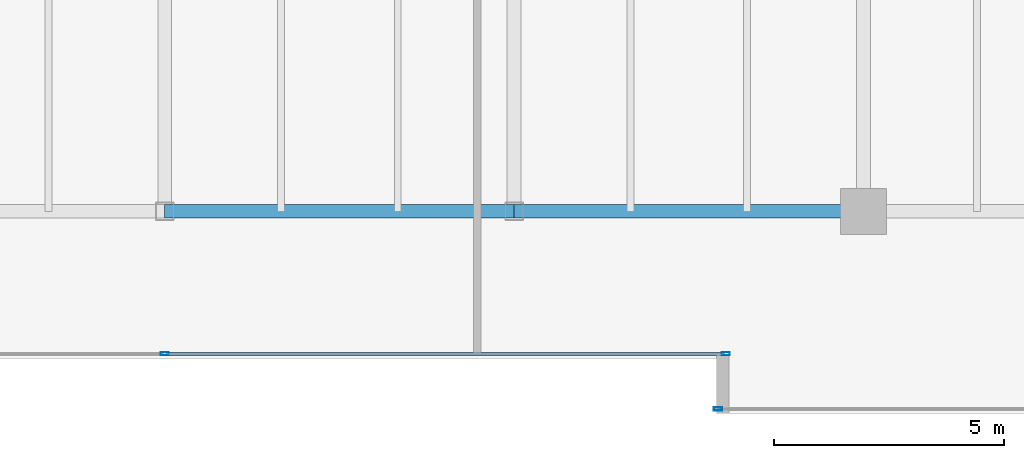
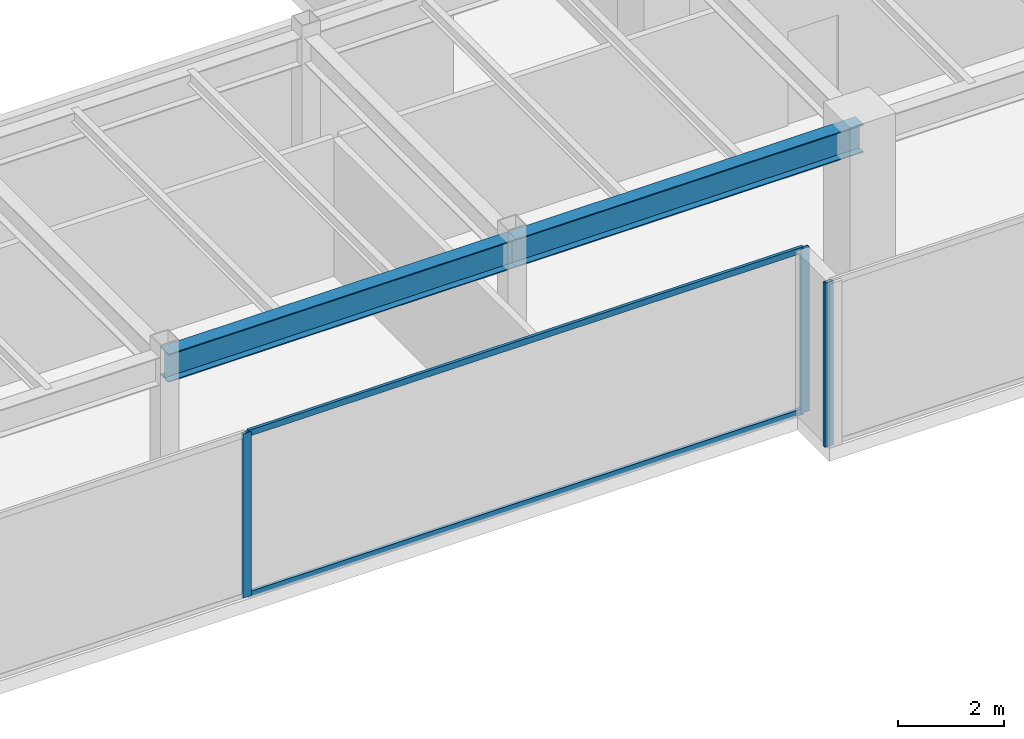
# One storey, part 11 of 33: 5 members, 2 beams, 2 elements without a shape of their own.
"""IFC4 building model written with IfcOpenShell, lengths in metres."""

import ifcopenshell
import ifcopenshell.guid

model = None  # the IFC model being written
_history = None  # IfcOwnerHistory: only IFC2X3 demands one
_inside = {}  # id of a spatial element -> (the spatial element, [elements in it])
_under = {}  # id of a project, library or spatial element -> (it, [spatial elements below it])
_declared = {}  # id of a project -> (the project, [libraries it declares])
_typed = {}  # id of a type object -> (the type object, [elements of that type])
_made_of = {}  # id of a material, layer set ... -> (it, [elements and type objects made of it])


def new_model(schema):
    """Start an empty IFC model of exactly this schema.

    Asked for "IFC4X3", IfcOpenShell would pick the latest addendum, in which some entities
    have other attributes; the version numbers below select the first issue.
    IFC2X3 requires an IfcOwnerHistory on every rooted entity: one is made here for all.
    """
    global model, _history
    if schema == "IFC4X3":
        model = ifcopenshell.file(schema_version=(4, 3, 0, 0))
    else:
        model = ifcopenshell.file(schema=schema)
    _inside.clear()
    _under.clear()
    _declared.clear()
    _typed.clear()
    _made_of.clear()
    _history = None
    if model.schema == "IFC2X3":
        org = make("IfcOrganization", Name="unknown")
        user = make(
            "IfcPersonAndOrganization",
            ThePerson=make("IfcPerson", FamilyName="unknown"),
            TheOrganization=org,
        )
        app = make(
            "IfcApplication",
            ApplicationDeveloper=org,
            Version="unknown",
            ApplicationFullName="unknown",
            ApplicationIdentifier="unknown",
        )
        _history = make(
            "IfcOwnerHistory",
            OwningUser=user,
            OwningApplication=app,
            ChangeAction="ADDED",
            CreationDate=0,
        )
    return model


def make(cls, **values):
    """One entity of the class cls with the attributes given. An attribute that is None is left unset."""
    return model.create_entity(
        cls, **{name: value for name, value in values.items() if value is not None}
    )


def rooted(cls, **values):
    """An entity with a GlobalId (a new one), such as an element, a storey or a relation."""
    return make(cls, GlobalId=ifcopenshell.guid.new(), OwnerHistory=_history, **values)


def si_unit(unit_type, name, prefix=None):
    """IfcSIUnit, for example si_unit("LENGTHUNIT", "METRE", prefix="MILLI")."""
    return make("IfcSIUnit", UnitType=unit_type, Prefix=prefix, Name=name)


def assignment(units):
    """IfcUnitAssignment: the units of a project."""
    return None if units is None else make("IfcUnitAssignment", Units=units)


def point(xyz):
    """IfcCartesianPoint."""
    return None if xyz is None else make("IfcCartesianPoint", Coordinates=xyz)


def direction(xyz):
    """IfcDirection."""
    return None if xyz is None else make("IfcDirection", DirectionRatios=xyz)


def frame(location, z_axis=None, x_axis=None):
    """IfcAxis2Placement3D, a coordinate frame: its origin and axes. An axis left out is left unset."""
    return make(
        "IfcAxis2Placement3D",
        Location=point(location),
        Axis=direction(z_axis),
        RefDirection=direction(x_axis),
    )


def frame_2d(location, x_axis=None):
    """IfcAxis2Placement2D, a coordinate frame in the plane: its origin and x axis."""
    return make(
        "IfcAxis2Placement2D", Location=point(location), RefDirection=direction(x_axis)
    )


def origin():
    """The frame at (0, 0, 0) with its axes left unset."""
    return frame((0.0, 0.0, 0.0))


def origin_2d():
    """The frame at (0, 0) in the plane with its x axis left unset."""
    return frame_2d((0.0, 0.0))


def place(relative_to, where):
    """IfcLocalPlacement: puts the frame where relative to a parent placement (None: the world)."""
    return make(
        "IfcLocalPlacement", PlacementRelTo=relative_to, RelativePlacement=where
    )


def context(
    kind, dimensions, precision=None, world=None, true_north=None, identifier=None
):
    """IfcGeometricRepresentationContext, for example the 3D "Model" context."""
    return make(
        "IfcGeometricRepresentationContext",
        ContextIdentifier=identifier,
        ContextType=kind,
        CoordinateSpaceDimension=dimensions,
        Precision=precision,
        WorldCoordinateSystem=world,
        TrueNorth=true_north,
    )


def subcontext(parent, identifier, kind, view, scale=None):
    """IfcGeometricRepresentationSubContext, for example "Body" below "Model"."""
    return make(
        "IfcGeometricRepresentationSubContext",
        ContextIdentifier=identifier,
        ContextType=kind,
        ParentContext=parent,
        TargetScale=scale,
        TargetView=view,
    )


def project(units=None, contexts=None):
    """IfcProject with its units and contexts."""
    return rooted(
        "IfcProject",
        Name="project",
        RepresentationContexts=contexts,
        UnitsInContext=assignment(units),
    )


def spatial(cls, under=None, at=None, **own):
    """A site, building, storey or space (cls), placed at a placement, below another one or the project."""
    s = rooted(cls, ObjectPlacement=at, **own)
    if under is not None:
        _under.setdefault(under.id(), (under, []))[1].append(s)
    return s


def profile(cls, at=None, kind="AREA", **sizes):
    """A parametric profile (cls). Its sizes go by their IFC names, for example OverallWidth=200.0."""
    return make(cls, ProfileType=kind, Position=at, **sizes)


def hollow_rectangle(**sizes):
    """IfcRectangleHollowProfileDef."""
    return profile("IfcRectangleHollowProfileDef", **sizes)


def i_section(**sizes):
    """IfcIShapeProfileDef."""
    return profile("IfcIShapeProfileDef", **sizes)


def extrude(swept, where, along, depth):
    """IfcExtrudedAreaSolid: the profile swept, set in the frame where, extruded along a direction by depth."""
    return make(
        "IfcExtrudedAreaSolid",
        SweptArea=swept,
        Position=where,
        ExtrudedDirection=direction(along),
        Depth=depth,
    )


def shape(context_of_items, identifier, shape_type, items):
    """IfcShapeRepresentation: the items that make up one representation, for example the "Body"."""
    return make(
        "IfcShapeRepresentation",
        ContextOfItems=context_of_items,
        RepresentationIdentifier=identifier,
        RepresentationType=shape_type,
        Items=items,
    )


def source(mapping_origin, context_of_items, identifier, shape_type, items):
    """IfcRepresentationMap: a shape defined once, which mapped items show again and again."""
    return make(
        "IfcRepresentationMap",
        MappingOrigin=mapping_origin,
        MappedRepresentation=shape(context_of_items, identifier, shape_type, items),
    )


def transform(
    local_origin,
    x_axis=None,
    y_axis=None,
    z_axis=None,
    scale=None,
    scale2=None,
    scale3=None,
    uniform=True,
):
    """IfcCartesianTransformationOperator3D, or its non-uniform kind. x_axis, y_axis, z_axis: its Axis1, 2, 3."""
    if uniform:
        return make(
            "IfcCartesianTransformationOperator3D",
            Axis1=direction(x_axis),
            Axis2=direction(y_axis),
            LocalOrigin=point(local_origin),
            Scale=scale,
            Axis3=direction(z_axis),
        )
    return make(
        "IfcCartesianTransformationOperator3DnonUniform",
        Axis1=direction(x_axis),
        Axis2=direction(y_axis),
        LocalOrigin=point(local_origin),
        Scale=scale,
        Axis3=direction(z_axis),
        Scale2=scale2,
        Scale3=scale3,
    )


def mapped(mapping_source, mapping_target):
    """IfcMappedItem: shows the shape of a source again, moved by a transform."""
    return make(
        "IfcMappedItem", MappingSource=mapping_source, MappingTarget=mapping_target
    )


def material(Name=None, Category=None):
    """IfcMaterial."""
    return make("IfcMaterial", Name=Name, Category=Category)


def layer(
    of_material, thickness, ventilated=None, Name=None, Category=None, Priority=None
):
    """IfcMaterialLayer: one layer of a wall or slab, of a material (None: an air gap)."""
    return make(
        "IfcMaterialLayer",
        Material=of_material,
        LayerThickness=thickness,
        IsVentilated=ventilated,
        Name=Name,
        Category=Category,
        Priority=Priority,
    )


def layer_set(layers, Name=None):
    """IfcMaterialLayerSet."""
    return make("IfcMaterialLayerSet", MaterialLayers=layers, LayerSetName=Name)


def material_profile(
    of_material, cross_section, Name=None, Category=None, Priority=None
):
    """IfcMaterialProfile: a cross section and its material."""
    return make(
        "IfcMaterialProfile",
        Name=Name,
        Material=of_material,
        Profile=cross_section,
        Priority=Priority,
        Category=Category,
    )


def profile_set(profiles, Name=None, composite=None):
    """IfcMaterialProfileSet."""
    return make(
        "IfcMaterialProfileSet",
        Name=Name,
        MaterialProfiles=profiles,
        CompositeProfile=composite,
    )


def made_of(thing, what):
    """Note that an element or type object is made of a material, layer set ...; save() writes the relation."""
    if what is not None:
        _made_of.setdefault(what.id(), (what, []))[1].append(thing)
    return thing


def type_object(cls, material=None, **own):
    """A type object (cls), such as IfcWallType, which elements share."""
    return made_of(rooted(cls, **own), material)


def type_shapes(of_type, sources):
    """Give a type object the sources (RepresentationMaps) that its elements show as mapped items."""
    of_type.RepresentationMaps = sources


def element(
    cls,
    number,
    at=None,
    inside=None,
    cuts=None,
    type_object=None,
    material=None,
    context=None,
    identifier="Body",
    shape_type=None,
    held_by="IfcProductDefinitionShape",
    body=None,
    shapes=None,
    **own,
):
    """One element of the class cls, such as IfcWall. Its Tag is "e" and its number.

    at: its placement. inside: the storey or other place that contains it. cuts: it is an
    opening in that element (IfcRelVoidsElement). A single representation is given by context,
    identifier, shape_type and body (its items); several are given by shapes. held_by: the class
    of the entity that holds the representations. save() writes the other relations.
    """
    e = rooted(cls, Tag="e%d" % number, ObjectPlacement=at, **own)
    if body is not None:
        shapes = [shape(context, identifier, shape_type, body)]
    if shapes is not None:
        e.Representation = make(held_by, Representations=shapes)
    if inside is not None:
        _inside.setdefault(inside.id(), (inside, []))[1].append(e)
    if cuts is not None:
        rooted(
            "IfcRelVoidsElement", RelatingBuildingElement=cuts, RelatedOpeningElement=e
        )
    if type_object is not None:
        _typed.setdefault(type_object.id(), (type_object, []))[1].append(e)
    return made_of(e, material)


def aggregate(whole, parts):
    """IfcRelAggregates: a whole, such as a stair, and the parts it consists of."""
    return rooted("IfcRelAggregates", RelatingObject=whole, RelatedObjects=parts)


def save(model, path):
    """Write the relations noted so far, then the file.

    IfcRelAggregates (storeys below a building ...), IfcRelContainedInSpatialStructure (elements
    in a storey), IfcRelDefinesByType, IfcRelAssociatesMaterial and IfcRelDeclares: one each for
    every whole, place, type object, material and project.
    """
    for whole, parts in _under.values():
        aggregate(whole, parts)
    for where, things in _inside.values():
        rooted(
            "IfcRelContainedInSpatialStructure",
            RelatedElements=things,
            RelatingStructure=where,
        )
    for kind, things in _typed.values():
        rooted("IfcRelDefinesByType", RelatedObjects=things, RelatingType=kind)
    for what, things in _made_of.values():
        rooted("IfcRelAssociatesMaterial", RelatedObjects=things, RelatingMaterial=what)
    for by, libraries in _declared.values():
        rooted("IfcRelDeclares", RelatingContext=by, RelatedDefinitions=libraries)
    model.write(path)


model = new_model("IFC4")

# Units and contexts
model_context = context("Model", 3, precision=1e-05, world=origin(), true_north=direction((0.0, 1.0)))
body_context = subcontext(model_context, "Body", "Model", "MODEL_VIEW")
ifc_project = project(units=[si_unit("LENGTHUNIT", "METRE"), si_unit("AREAUNIT", "SQUARE_METRE"), si_unit("VOLUMEUNIT", "CUBIC_METRE"), si_unit("PLANEANGLEUNIT", "RADIAN"), si_unit("MASSUNIT", "GRAM", prefix="KILO")], contexts=[model_context])

# Site, building, storey
site_placement = place(None, origin())
site = spatial("IfcSite", under=ifc_project, at=site_placement, CompositionType="ELEMENT")
building_placement = place(site_placement, origin())
building = spatial("IfcBuilding", under=site, at=building_placement, Name="Haelvirn Gate Laboratories", CompositionType="ELEMENT")
storey_placement = place(building_placement, frame((0.0, 0.0, 230.10009765625)))
storey = spatial("IfcBuildingStorey", under=building, at=storey_placement, Name="L55", CompositionType="ELEMENT", Elevation=230.10009765625)

# Beams
ifc_material_1 = material(Name="Steel SM355", Category="steel")
ifc_material_profile_1 = material_profile(ifc_material_1, i_section(OverallWidth=0.300048828125, OverallDepth=0.64990234375, WebThickness=0.012939453125, FlangeThickness=0.02197265625, at=origin_2d()), Name="H-650x300x13x22")
ifc_profile_set_1 = profile_set([ifc_material_profile_1], Name="Steel SM355")
beam_type = type_object("IfcBeamType", Name="BM-G-650", PredefinedType="BEAM", material=ifc_profile_set_1)
shared_shape_1 = source(origin(), body_context, "Body", "SweptSolid", [
    extrude(i_section(OverallWidth=0.300048828125, OverallDepth=0.64990234375, WebThickness=0.012939453125, FlangeThickness=0.02197265625, at=origin_2d()), origin(), (0.0, 0.0, 1.0), 7.60009765625),
])
type_shapes(beam_type, [shared_shape_1])
for number, where, z_axis, x_axis, name in (
    (1, (37.39990234375, 7.0, 3.474853515625), (1.0, 0.0, 0.0), (0.0, 1.0, 0.0), "L55 Primary Girder Y7.0 (37.4-45.0)"),
    (2, (45.0, 7.0, 3.474853515625), (1.0, 0.0, 0.0), (0.0, 1.0, 0.0), "L55 Primary Girder Y7.0 (45.0-52.6)"),
):
    element("IfcBeam", number, at=place(storey_placement, frame(where, z_axis=z_axis, x_axis=x_axis)), inside=storey, type_object=beam_type, Name=name, PredefinedType="BEAM", context=body_context, shape_type="MappedRepresentation", body=[
        mapped(shared_shape_1, transform((0.0, 0.0, 0.0), scale=1.0)),
    ])

# Curtain wall, members
ifc_material_2 = material(Name="Anodised bronze unitised aluminium & triple low-E glass", Category="aluminium")
ifc_layer = layer(ifc_material_2, 0.176025390625, Name="CW-SYS-4")
ifc_layer_set = layer_set([ifc_layer], Name="Anodised bronze unitised aluminium & triple low-E glass")
curtain_wall_type = type_object("IfcCurtainWallType", Name="CW-SYS-4", PredefinedType="NOTDEFINED", material=ifc_layer_set)
curtain_wall_1_placement = place(storey_placement, origin())
curtain_wall_1 = element("IfcCurtainWall", 3, at=curtain_wall_1_placement, inside=storey, type_object=curtain_wall_type, Name="L55 Unitised Curtain Wall CW-L55-P0-E02-1", PredefinedType="NOTDEFINED")
ifc_material_3 = material(Name="Extruded aluminium 6063-T6 (anodised bronze)", Category="aluminium")
ifc_material_profile_2 = material_profile(ifc_material_3, hollow_rectangle(XDim=0.06494140625, YDim=0.139892578125, WallThickness=0.00390625, at=origin_2d()), Name="CWT-140x65x4")
ifc_profile_set_2 = profile_set([ifc_material_profile_2], Name="Extruded aluminium 6063-T6 (anodised bronze)")
member_type_1 = type_object("IfcMemberType", Name="CWT-T140", PredefinedType="USERDEFINED", material=ifc_profile_set_2)
shared_shape_2 = source(origin(), body_context, "Body", "SweptSolid", [
    extrude(hollow_rectangle(XDim=0.06494140625, YDim=0.139892578125, WallThickness=0.00390625, at=origin_2d()), origin(), (0.0, 0.0, 1.0), 12.135009765625),
])
type_shapes(member_type_1, [shared_shape_2])
member_1_placement = place(storey_placement, frame((37.43505859375, 3.89990234375, 0.032470703125), z_axis=(1.0, 0.0, 0.0), x_axis=(0.0, 1.0, 0.0)))
member_1 = element("IfcMember", 4, at=member_1_placement, type_object=member_type_1, Name="CW4 transom 2.1", ObjectType="TRANSOM", PredefinedType="USERDEFINED", context=body_context, shape_type="MappedRepresentation", body=[
    mapped(shared_shape_2, transform((0.0, 0.0, 0.0), scale=1.0)),
])
member_2_placement = place(storey_placement, frame((37.43505859375, 3.89990234375, 3.767333984375), z_axis=(1.0, 0.0, 0.0), x_axis=(0.0, 1.0, 0.0)))
member_2 = element("IfcMember", 5, at=member_2_placement, type_object=member_type_1, Name="CW4 transom 2.2", ObjectType="TRANSOM", PredefinedType="USERDEFINED", context=body_context, shape_type="MappedRepresentation", body=[
    mapped(shared_shape_2, transform((0.0, 0.0, 0.0), scale=1.0)),
])
ifc_material_profile_3 = material_profile(ifc_material_3, hollow_rectangle(XDim=0.070068359375, YDim=0.179931640625, WallThickness=0.0048828125, at=origin_2d()), Name="CWM-180x70x5")
ifc_profile_set_3 = profile_set([ifc_material_profile_3], Name="Extruded aluminium 6063-T6 (anodised bronze)")
member_type_2 = type_object("IfcMemberType", Name="CWM-T180", PredefinedType="MULLION", material=ifc_profile_set_3)
shared_shape_3 = source(origin(), body_context, "Body", "SweptSolid", [
    extrude(hollow_rectangle(XDim=0.070068359375, YDim=0.179931640625, WallThickness=0.0048828125, at=origin_2d()), origin(), (0.0, 0.0, 1.0), 3.7998046875),
])
type_shapes(member_type_2, [shared_shape_3])
member_3_placement = place(storey_placement, frame((37.39990234375, 3.89990234375, 0.0), z_axis=(0.0, 0.0, 1.0), x_axis=(0.0, 1.0, 0.0)))
member_3 = element("IfcMember", 6, at=member_3_placement, type_object=member_type_2, Name="CW4 mullion 2", PredefinedType="MULLION", context=body_context, shape_type="MappedRepresentation", body=[
    mapped(shared_shape_3, transform((0.0, 0.0, 0.0), scale=1.0)),
])
member_4_placement = place(storey_placement, frame((49.60498046875, 3.89990234375, 0.0), z_axis=(0.0, 0.0, 1.0), x_axis=(0.0, 1.0, 0.0)))
member_4 = element("IfcMember", 7, at=member_4_placement, type_object=member_type_2, Name="CW4 mullion 3", PredefinedType="MULLION", context=body_context, shape_type="MappedRepresentation", body=[
    mapped(shared_shape_3, transform((0.0, 0.0, 0.0), scale=1.0)),
])
aggregate(curtain_wall_1, [member_3, member_4, member_1, member_2])

# Curtain wall, member
curtain_wall_2_placement = place(storey_placement, origin())
curtain_wall_2 = element("IfcCurtainWall", 8, at=curtain_wall_2_placement, inside=storey, type_object=curtain_wall_type, Name="L55 Unitised Curtain Wall CW-L55-P0-E04-1", PredefinedType="NOTDEFINED")
member_5_placement = place(storey_placement, frame((49.43505859375, 2.699951171875, 0.0), z_axis=(0.0, 0.0, 1.0), x_axis=(0.0, 1.0, 0.0)))
member_5 = element("IfcMember", 9, at=member_5_placement, type_object=member_type_2, Name="CW4 mullion 1", PredefinedType="MULLION", context=body_context, shape_type="MappedRepresentation", body=[
    mapped(shared_shape_3, transform((0.0, 0.0, 0.0), scale=1.0)),
])
aggregate(curtain_wall_2, [member_5])

save(model, "model.ifc")
